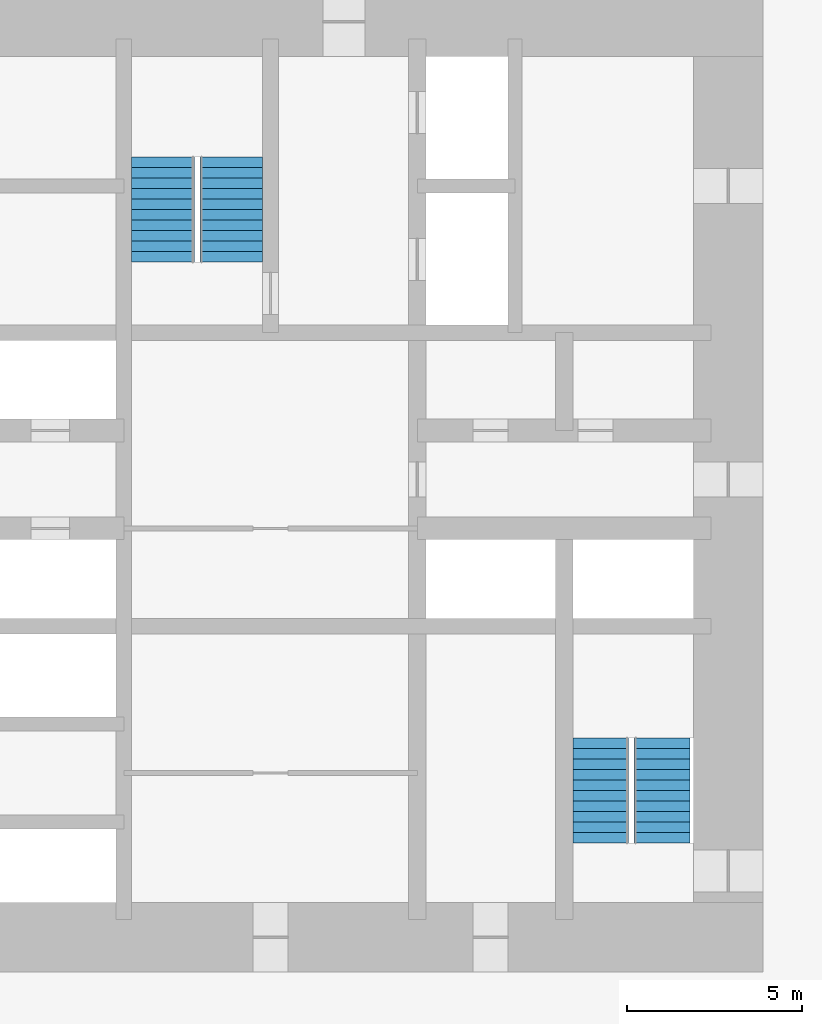
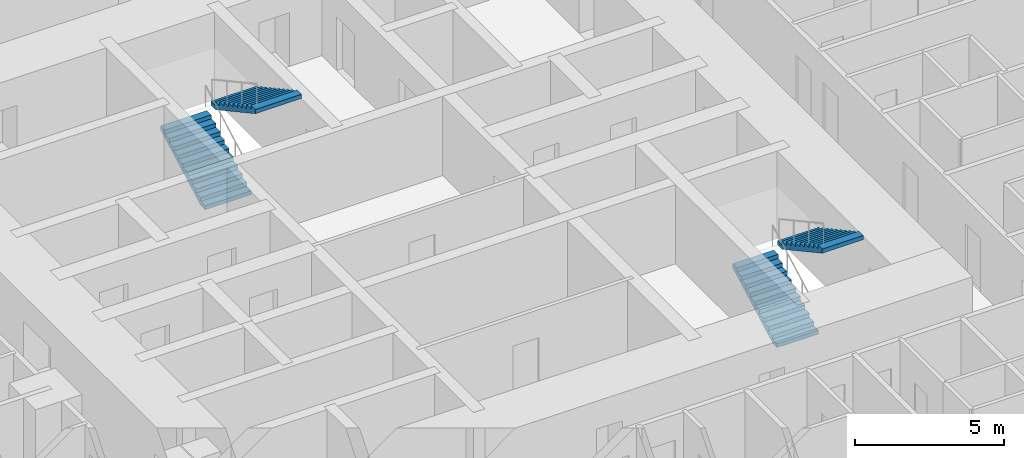
# One storey, part 17 of 18: 4 stair flights, 2 elements without a shape of their own.
"""IFC4 building model written with IfcOpenShell, lengths in metres."""

from ifc_helpers import new_model, si_unit, direction, frame, origin, place, context, subcontext, project, spatial, polyline, outline, extrude, material, type_object, element, aggregate, save


model = new_model("IFC4")

# Units and contexts
model_context = context("Model", 3, precision=1e-05, world=origin(), true_north=direction((0.0, 1.0)))
body_context = subcontext(model_context, "Body", "Model", "MODEL_VIEW")
ifc_project = project(units=[si_unit("LENGTHUNIT", "METRE"), si_unit("AREAUNIT", "SQUARE_METRE"), si_unit("VOLUMEUNIT", "CUBIC_METRE"), si_unit("PLANEANGLEUNIT", "RADIAN"), si_unit("MASSUNIT", "GRAM", prefix="KILO")], contexts=[model_context])

# Site, building, storey
site_placement = place(None, origin())
site = spatial("IfcSite", under=ifc_project, at=site_placement, CompositionType="ELEMENT")
building_placement = place(site_placement, origin())
building = spatial("IfcBuilding", under=site, at=building_placement, Name="Dunama Terrace Hotel", CompositionType="ELEMENT")
storey_placement = place(building_placement, frame((0.0, 0.0, 27.0)))
storey = spatial("IfcBuildingStorey", under=building, at=storey_placement, Name="L05", CompositionType="ELEMENT", Elevation=27.0)

# Stair, stair flights
ifc_material_1 = material(Name="Concrete C40/50", Category="concrete")
stair_type_1 = type_object("IfcStairType", Name="Stair ST1-3600-1800", PredefinedType="HALF_TURN_STAIR", material=ifc_material_1)
stair_1_placement = place(storey_placement, origin())
stair_1 = element("IfcStair", 1, at=stair_1_placement, inside=storey, type_object=stair_type_1, Name="Stair ST1 L05", PredefinedType="HALF_TURN_STAIR")
ifc_material_2 = material(Name="Concrete C40/50", Category="concrete")
stair_flight_type_1 = type_object("IfcStairFlightType", Name="Stair flight ST1-3600-1800", PredefinedType="STRAIGHT", material=ifc_material_2)
stair_flight_1_placement = place(storey_placement, frame((26.324951171875, 35.625, 0.0), z_axis=(0.0, 0.0, 1.0), x_axis=(0.0, 1.0, 0.0)))
stair_flight_1 = element("IfcStairFlight", 2, at=stair_flight_1_placement, type_object=stair_flight_type_1, Name="ST1 flight 1", NumberOfRisers=11, NumberOfTreads=10, PredefinedType="STRAIGHT", RiserHeight=0.163636364, TreadLength=0.3, context=body_context, shape_type="SweptSolid", body=[
    extrude(outline(polyline([(0.0, 0.0), (0.0, 0.16357421875), (0.300048828125, 0.16357421875), (0.300048828125, 0.327392578125), (0.60009765625, 0.327392578125), (0.60009765625, 0.490966796875), (0.89990234375, 0.490966796875), (0.89990234375, 0.654541015625), (1.199951171875, 0.654541015625), (1.199951171875, 0.818115234375), (1.5, 0.818115234375), (1.5, 0.98193359375), (1.800048828125, 0.98193359375), (1.800048828125, 1.1455078125), (2.10009765625, 1.1455078125), (2.10009765625, 1.30908203125), (2.39990234375, 1.30908203125), (2.39990234375, 1.47265625), (2.699951171875, 1.47265625), (2.699951171875, 1.636474609375), (3.0, 1.636474609375), (3.0, 1.800048828125), (3.0, 1.465576171875), (0.31298828125, 0.0), (0.0, 0.0)])), frame((0.0, 0.89990234375, 0.0), z_axis=(0.0, -1.0, 0.0), x_axis=(1.0, 0.0, 0.0)), (0.0, 0.0, 1.0), 1.800048828125),
])
stair_flight_2_placement = place(storey_placement, frame((28.27490234375, 38.625, 1.800048828125), z_axis=(0.0, 0.0, 1.0), x_axis=(0.0, -1.0, 0.0)))
stair_flight_2 = element("IfcStairFlight", 3, at=stair_flight_2_placement, type_object=stair_flight_type_1, Name="ST1 flight 2", NumberOfRisers=11, NumberOfTreads=10, PredefinedType="STRAIGHT", RiserHeight=0.163636364, TreadLength=0.3, context=body_context, shape_type="SweptSolid", body=[
    extrude(outline(polyline([(0.0, 0.0), (0.0, 0.16357421875), (0.300048828125, 0.16357421875), (0.300048828125, 0.327392578125), (0.60009765625, 0.327392578125), (0.60009765625, 0.490966796875), (0.89990234375, 0.490966796875), (0.89990234375, 0.654541015625), (1.199951171875, 0.654541015625), (1.199951171875, 0.818115234375), (1.5, 0.818115234375), (1.5, 0.98193359375), (1.800048828125, 0.98193359375), (1.800048828125, 1.1455078125), (2.10009765625, 1.1455078125), (2.10009765625, 1.30908203125), (2.39990234375, 1.30908203125), (2.39990234375, 1.47265625), (2.699951171875, 1.47265625), (2.699951171875, 1.636474609375), (3.0, 1.636474609375), (3.0, 1.800048828125), (3.0, 1.465576171875), (0.31298828125, 0.0), (0.0, 0.0)])), frame((0.0, 0.89990234375, 0.0), z_axis=(0.0, -1.0, 0.0), x_axis=(1.0, 0.0, 0.0)), (0.0, 0.0, 1.0), 1.800048828125),
])
aggregate(stair_1, [stair_flight_1, stair_flight_2])

ifc_material_3 = material(Name="Concrete C40/50", Category="concrete")
stair_type_2 = type_object("IfcStairType", Name="Stair ST2-3600-1600", PredefinedType="HALF_TURN_STAIR", material=ifc_material_3)
stair_2_placement = place(storey_placement, origin())
stair_2 = element("IfcStair", 4, at=stair_2_placement, inside=storey, type_object=stair_type_2, Name="Stair ST2 L05", PredefinedType="HALF_TURN_STAIR")
ifc_material_4 = material(Name="Concrete C40/50", Category="concrete")
stair_flight_type_2 = type_object("IfcStairFlightType", Name="Stair flight ST2-3600-1600", PredefinedType="STRAIGHT", material=ifc_material_4)
stair_flight_3_placement = place(storey_placement, frame((38.85009765625, 19.0, 0.0), z_axis=(0.0, 0.0, 1.0), x_axis=(0.0, 1.0, 0.0)))
stair_flight_3 = element("IfcStairFlight", 5, at=stair_flight_3_placement, type_object=stair_flight_type_2, Name="ST2 flight 1", NumberOfRisers=11, NumberOfTreads=10, PredefinedType="STRAIGHT", RiserHeight=0.163636364, TreadLength=0.3, context=body_context, shape_type="SweptSolid", body=[
    extrude(outline(polyline([(0.0, 0.0), (0.0, 0.16357421875), (0.300048828125, 0.16357421875), (0.300048828125, 0.327392578125), (0.60009765625, 0.327392578125), (0.60009765625, 0.490966796875), (0.89990234375, 0.490966796875), (0.89990234375, 0.654541015625), (1.199951171875, 0.654541015625), (1.199951171875, 0.818115234375), (1.5, 0.818115234375), (1.5, 0.98193359375), (1.800048828125, 0.98193359375), (1.800048828125, 1.1455078125), (2.10009765625, 1.1455078125), (2.10009765625, 1.30908203125), (2.39990234375, 1.30908203125), (2.39990234375, 1.47265625), (2.699951171875, 1.47265625), (2.699951171875, 1.636474609375), (3.0, 1.636474609375), (3.0, 1.800048828125), (3.0, 1.465576171875), (0.31298828125, 0.0), (0.0, 0.0)])), frame((0.0, 0.800048828125, 0.0), z_axis=(0.0, -1.0, 0.0), x_axis=(1.0, 0.0, 0.0)), (0.0, 0.0, 1.0), 1.60009765625),
])
stair_flight_4_placement = place(storey_placement, frame((40.60009765625, 22.0, 1.800048828125), z_axis=(0.0, 0.0, 1.0), x_axis=(0.0, -1.0, 0.0)))
stair_flight_4 = element("IfcStairFlight", 6, at=stair_flight_4_placement, type_object=stair_flight_type_2, Name="ST2 flight 2", NumberOfRisers=11, NumberOfTreads=10, PredefinedType="STRAIGHT", RiserHeight=0.163636364, TreadLength=0.3, context=body_context, shape_type="SweptSolid", body=[
    extrude(outline(polyline([(0.0, 0.0), (0.0, 0.16357421875), (0.300048828125, 0.16357421875), (0.300048828125, 0.327392578125), (0.60009765625, 0.327392578125), (0.60009765625, 0.490966796875), (0.89990234375, 0.490966796875), (0.89990234375, 0.654541015625), (1.199951171875, 0.654541015625), (1.199951171875, 0.818115234375), (1.5, 0.818115234375), (1.5, 0.98193359375), (1.800048828125, 0.98193359375), (1.800048828125, 1.1455078125), (2.10009765625, 1.1455078125), (2.10009765625, 1.30908203125), (2.39990234375, 1.30908203125), (2.39990234375, 1.47265625), (2.699951171875, 1.47265625), (2.699951171875, 1.636474609375), (3.0, 1.636474609375), (3.0, 1.800048828125), (3.0, 1.465576171875), (0.31298828125, 0.0), (0.0, 0.0)])), frame((0.0, 0.800048828125, 0.0), z_axis=(0.0, -1.0, 0.0), x_axis=(1.0, 0.0, 0.0)), (0.0, 0.0, 1.0), 1.60009765625),
])
aggregate(stair_2, [stair_flight_3, stair_flight_4])

save(model, "model.ifc")
